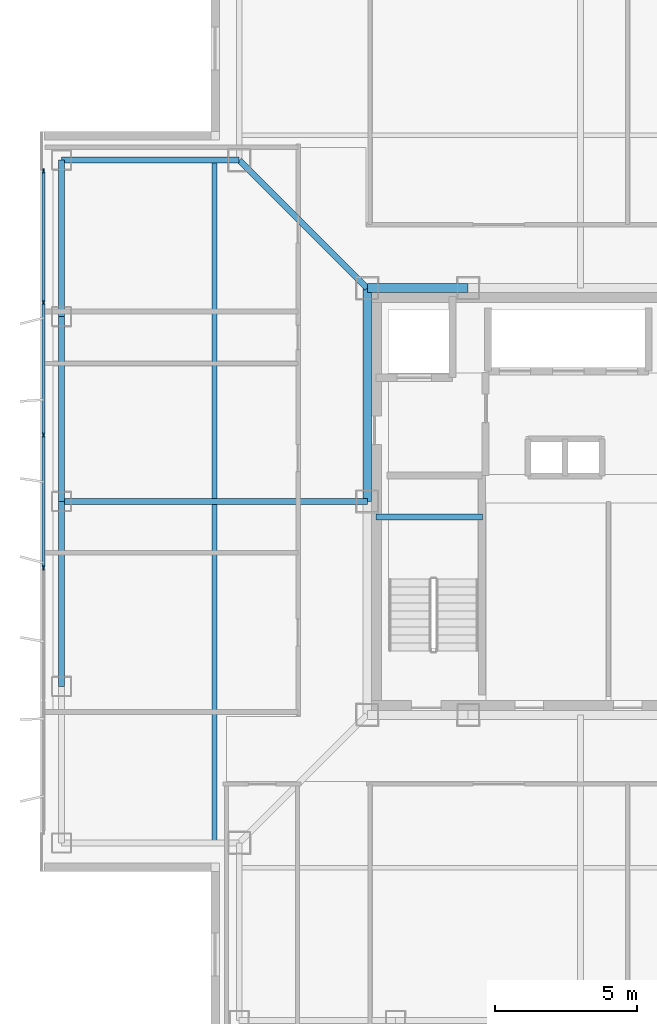
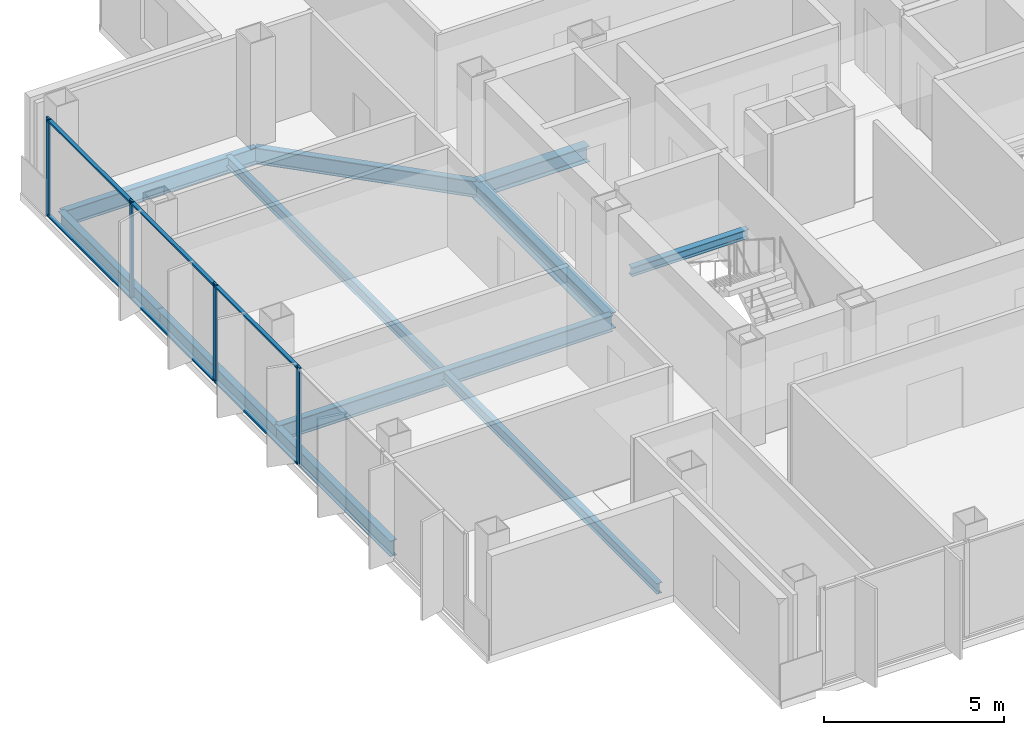
# One storey, part 4 of 15: 10 beams, 10 members, 1 element without a shape of its own.
"""IFC4 building model written with IfcOpenShell, lengths in metres."""

from ifc_helpers import new_model, si_unit, direction, frame, origin, origin_2d, place, context, subcontext, project, spatial, rectangle, i_section, extrude, material, layer, layer_set, material_profile, profile_set, type_object, element, aggregate, save


model = new_model("IFC4")

# Units and contexts
model_context = context("Model", 3, precision=1e-05, world=origin(), true_north=direction((0.0, 1.0)))
body_context = subcontext(model_context, "Body", "Model", "MODEL_VIEW")
ifc_project = project(units=[si_unit("LENGTHUNIT", "METRE"), si_unit("AREAUNIT", "SQUARE_METRE"), si_unit("VOLUMEUNIT", "CUBIC_METRE"), si_unit("PLANEANGLEUNIT", "RADIAN"), si_unit("MASSUNIT", "GRAM", prefix="KILO")], contexts=[model_context])

# Site, building, storey
site_placement = place(None, origin())
site = spatial("IfcSite", under=ifc_project, at=site_placement, CompositionType="ELEMENT")
building_placement = place(site_placement, origin())
building = spatial("IfcBuilding", under=site, at=building_placement, Name="Trevonay Congress Spire", CompositionType="ELEMENT")
storey_placement = place(building_placement, frame((0.0, 0.0, 282.800048828125)))
storey = spatial("IfcBuildingStorey", under=building, at=storey_placement, Name="L74", CompositionType="ELEMENT", Elevation=282.800048828125)

# Beams
ifc_material_1 = material(Name="Steel ASTM A572 Grade 50", Category="steel")
ifc_material_profile_1 = material_profile(ifc_material_1, i_section(OverallWidth=0.2119140625, OverallDepth=0.5439453125, WebThickness=0.01318359375, FlangeThickness=0.021240234375, FilletRadius=0.014892578125, at=origin_2d()), Name="W530x123")
ifc_profile_set_1 = profile_set([ifc_material_profile_1], Name="Steel ASTM A572 Grade 50")
beam_type_1 = type_object("IfcBeamType", Name="BM-GIRD-W530X123", PredefinedType="BEAM", material=ifc_profile_set_1)
beam_1_placement = place(storey_placement, frame((-7.5, 7.5, -0.511962890625), z_axis=(-0.707106781187, 0.707106781187, 0.0), x_axis=(-0.707106781187, -0.707106781187, 0.0)))
element("IfcBeam", 1, at=beam_1_placement, inside=storey, type_object=beam_type_1, Name="L74 structural beam BM-L74-CDNW", PredefinedType="BEAM", context=body_context, shape_type="SweptSolid", body=[
    extrude(i_section(OverallWidth=0.2119140625, OverallDepth=0.5439453125, WebThickness=0.01318359375, FlangeThickness=0.021240234375, FilletRadius=0.014892578125, at=origin_2d()), origin(), (0.0, 0.0, 1.0), 6.364013671875),
])
beam_2_placement = place(storey_placement, frame((-7.5, 0.0, -0.511962890625), z_axis=(-1.0, 0.0, 0.0), x_axis=(0.0, -1.0, 0.0)))
element("IfcBeam", 2, at=beam_2_placement, inside=storey, type_object=beam_type_1, Name="L74 structural beam BM-L74-GC-W", PredefinedType="BEAM", context=body_context, shape_type="SweptSolid", body=[
    extrude(i_section(OverallWidth=0.2119140625, OverallDepth=0.5439453125, WebThickness=0.01318359375, FlangeThickness=0.021240234375, FilletRadius=0.014892578125, at=origin_2d()), origin(), (0.0, 0.0, 1.0), 10.75),
])
ifc_material_profile_2 = material_profile(ifc_material_1, i_section(OverallWidth=0.31201171875, OverallDepth=0.54296875, WebThickness=0.0126953125, FlangeThickness=0.020263671875, FilletRadius=0.014892578125, at=origin_2d()), Name="W530x150")
ifc_profile_set_2 = profile_set([ifc_material_profile_2], Name="Steel ASTM A572 Grade 50")
beam_type_2 = type_object("IfcBeamType", Name="BM-GIRD-W530X150", PredefinedType="BEAM", material=ifc_profile_set_2)
beam_3_placement = place(storey_placement, frame((-7.5, 7.5, -0.511474609375), z_axis=(1.0, 0.0, 0.0), x_axis=(0.0, 1.0, 0.0)))
element("IfcBeam", 3, at=beam_3_placement, inside=storey, type_object=beam_type_2, Name="L74 structural beam BM-L74-CR-N1", PredefinedType="BEAM", context=body_context, shape_type="SweptSolid", body=[
    extrude(i_section(OverallWidth=0.31201171875, OverallDepth=0.54296875, WebThickness=0.0126953125, FlangeThickness=0.020263671875, FilletRadius=0.014892578125, at=origin_2d()), origin(), (0.0, 0.0, 1.0), 3.550048828125),
])
beam_4_placement = place(storey_placement, frame((-7.5, 0.0, -0.511474609375), z_axis=(0.0, 1.0, 0.0), x_axis=(-1.0, 0.0, 0.0)))
element("IfcBeam", 4, at=beam_4_placement, inside=storey, type_object=beam_type_2, Name="L74 structural beam BM-L74-CR-W2", PredefinedType="BEAM", context=body_context, shape_type="SweptSolid", body=[
    extrude(i_section(OverallWidth=0.31201171875, OverallDepth=0.54296875, WebThickness=0.0126953125, FlangeThickness=0.020263671875, FilletRadius=0.014892578125, at=origin_2d()), origin(), (0.0, 0.0, 1.0), 7.5),
])
ifc_material_profile_3 = material_profile(ifc_material_1, i_section(OverallWidth=0.208984375, OverallDepth=0.532958984375, WebThickness=0.01025390625, FlangeThickness=0.015625, FilletRadius=0.014892578125, at=origin_2d()), Name="W530x92")
ifc_profile_set_3 = profile_set([ifc_material_profile_3], Name="Steel ASTM A572 Grade 50")
beam_type_3 = type_object("IfcBeamType", Name="BM-RING-W530X92", PredefinedType="BEAM", material=ifc_profile_set_3)
for number, where, z_axis, x_axis, name in (
    (5, (-18.25, -6.5, -0.506591796875), (0.0, 1.0, 0.0), (-1.0, 0.0, 0.0), "L74 structural beam BM-L74-PW2"),
    (6, (-18.25, 0.0, -0.506591796875), (0.0, 1.0, 0.0), (-1.0, 0.0, 0.0), "L74 structural beam BM-L74-PW3"),
):
    element("IfcBeam", number, at=place(storey_placement, frame(where, z_axis=z_axis, x_axis=x_axis)), inside=storey, type_object=beam_type_3, Name=name, PredefinedType="BEAM", context=body_context, shape_type="SweptSolid", body=[
        extrude(i_section(OverallWidth=0.208984375, OverallDepth=0.532958984375, WebThickness=0.01025390625, FlangeThickness=0.015625, FilletRadius=0.014892578125, at=origin_2d()), origin(), (0.0, 0.0, 1.0), 6.5),
    ])
beam_5_placement = place(storey_placement, frame((-18.25, 6.5, -0.506591796875), z_axis=(0.0, 1.0, 0.0), x_axis=(-1.0, 0.0, 0.0)))
element("IfcBeam", 7, at=beam_5_placement, inside=storey, type_object=beam_type_3, Name="L74 structural beam BM-L74-PW4", PredefinedType="BEAM", context=body_context, shape_type="SweptSolid", body=[
    extrude(i_section(OverallWidth=0.208984375, OverallDepth=0.532958984375, WebThickness=0.01025390625, FlangeThickness=0.015625, FilletRadius=0.014892578125, at=origin_2d()), origin(), (0.0, 0.0, 1.0), 5.5),
])
beam_6_placement = place(storey_placement, frame((-18.25, 12.0, -0.506591796875), z_axis=(1.0, 0.0, 0.0), x_axis=(0.0, 1.0, 0.0)))
element("IfcBeam", 8, at=beam_6_placement, inside=storey, type_object=beam_type_3, Name="L74 structural beam BM-L74-N2NW", PredefinedType="BEAM", context=body_context, shape_type="SweptSolid", body=[
    extrude(i_section(OverallWidth=0.208984375, OverallDepth=0.532958984375, WebThickness=0.01025390625, FlangeThickness=0.015625, FilletRadius=0.014892578125, at=origin_2d()), origin(), (0.0, 0.0, 1.0), 6.25),
])

# Curtain wall, members
ifc_material_2 = material(Name="Pale Anodised Aluminium EN AW-6063-T6", Category="aluminium")
ifc_layer = layer(ifc_material_2, 0.1650390625, Name="Pale Anodised Aluminium EN AW-6063-T6")
ifc_layer_set = layer_set([ifc_layer], Name="Pale Anodised Aluminium EN AW-6063-T6")
curtain_wall_type = type_object("IfcCurtainWallType", Name="CW-SYS05-DIPLOM-PALE-METAL", PredefinedType="NOTDEFINED", material=ifc_layer_set)
curtain_wall_placement = place(storey_placement, origin())
curtain_wall = element("IfcCurtainWall", 9, at=curtain_wall_placement, inside=storey, type_object=curtain_wall_type, Name="L74 W unitised curtain wall", PredefinedType="NOTDEFINED")
ifc_material_profile_4 = material_profile(ifc_material_2, rectangle(XDim=0.06005859375, YDim=0.159912109375, at=origin_2d()), Name="CW-MULLION-160-ALUMINIUM")
ifc_profile_set_4 = profile_set([ifc_material_profile_4], Name="Pale Anodised Aluminium EN AW-6063-T6")
member_type_1 = type_object("IfcMemberType", Name="CW-MULLION-160-ALUMINIUM", PredefinedType="MULLION", material=ifc_profile_set_4)
member_1_placement = place(storey_placement, frame((-18.8798828125, -2.330078125, 0.0), z_axis=(0.0, 0.0, 1.0), x_axis=(-1.0, 0.0, 0.0)))
member_1 = element("IfcMember", 10, at=member_1_placement, type_object=member_type_1, Name="CW05 mullion 3", PredefinedType="MULLION", context=body_context, shape_type="SweptSolid", body=[
    extrude(rectangle(XDim=0.06005859375, YDim=0.159912109375, at=origin_2d()), origin(), (0.0, 0.0, 1.0), 3.35986328125),
])
member_2_placement = place(storey_placement, frame((-18.8798828125, 2.330078125, 0.0), z_axis=(0.0, 0.0, 1.0), x_axis=(-1.0, 0.0, 0.0)))
member_2 = element("IfcMember", 11, at=member_2_placement, type_object=member_type_1, Name="CW05 mullion 4", PredefinedType="MULLION", context=body_context, shape_type="SweptSolid", body=[
    extrude(rectangle(XDim=0.06005859375, YDim=0.159912109375, at=origin_2d()), origin(), (0.0, 0.0, 1.0), 3.35986328125),
])
member_3_placement = place(storey_placement, frame((-18.8798828125, 6.989990234375, 0.0), z_axis=(0.0, 0.0, 1.0), x_axis=(-1.0, 0.0, 0.0)))
member_3 = element("IfcMember", 12, at=member_3_placement, type_object=member_type_1, Name="CW05 mullion 5", PredefinedType="MULLION", context=body_context, shape_type="SweptSolid", body=[
    extrude(rectangle(XDim=0.06005859375, YDim=0.159912109375, at=origin_2d()), origin(), (0.0, 0.0, 1.0), 3.35986328125),
])
member_4_placement = place(storey_placement, frame((-18.8798828125, 11.6201171875, 0.0), z_axis=(0.0, 0.0, 1.0), x_axis=(-1.0, 0.0, 0.0)))
member_4 = element("IfcMember", 13, at=member_4_placement, type_object=member_type_1, Name="CW05 mullion 6", PredefinedType="MULLION", context=body_context, shape_type="SweptSolid", body=[
    extrude(rectangle(XDim=0.06005859375, YDim=0.159912109375, at=origin_2d()), origin(), (0.0, 0.0, 1.0), 3.35986328125),
])
ifc_material_profile_5 = material_profile(ifc_material_2, rectangle(XDim=0.1201171875, YDim=0.06005859375, at=origin_2d()), Name="CW-TRANSOM-120-ALUMINIUM")
ifc_profile_set_5 = profile_set([ifc_material_profile_5], Name="Pale Anodised Aluminium EN AW-6063-T6")
member_type_2 = type_object("IfcMemberType", Name="CW-TRANSOM-120-ALUMINIUM", PredefinedType="USERDEFINED", material=ifc_profile_set_5)
member_5_placement = place(storey_placement, frame((-18.8798828125, -2.300048828125, 0.06005859375), z_axis=(0.0, 1.0, 0.0), x_axis=(-1.0, 0.0, 0.0)))
member_5 = element("IfcMember", 14, at=member_5_placement, type_object=member_type_2, Name="CW05 transom 3.1", ObjectType="TRANSOM", PredefinedType="USERDEFINED", context=body_context, shape_type="SweptSolid", body=[
    extrude(rectangle(XDim=0.1201171875, YDim=0.06005859375, at=origin_2d()), origin(), (0.0, 0.0, 1.0), 4.60009765625),
])
member_6_placement = place(storey_placement, frame((-18.8798828125, -2.300048828125, 3.300048828125), z_axis=(0.0, 1.0, 0.0), x_axis=(-1.0, 0.0, 0.0)))
member_6 = element("IfcMember", 15, at=member_6_placement, type_object=member_type_2, Name="CW05 transom 3.2", ObjectType="TRANSOM", PredefinedType="USERDEFINED", context=body_context, shape_type="SweptSolid", body=[
    extrude(rectangle(XDim=0.1201171875, YDim=0.06005859375, at=origin_2d()), origin(), (0.0, 0.0, 1.0), 4.60009765625),
])
member_7_placement = place(storey_placement, frame((-18.8798828125, 2.360107421875, 0.06005859375), z_axis=(0.0, 1.0, 0.0), x_axis=(-1.0, 0.0, 0.0)))
member_7 = element("IfcMember", 16, at=member_7_placement, type_object=member_type_2, Name="CW05 transom 4.1", ObjectType="TRANSOM", PredefinedType="USERDEFINED", context=body_context, shape_type="SweptSolid", body=[
    extrude(rectangle(XDim=0.1201171875, YDim=0.06005859375, at=origin_2d()), origin(), (0.0, 0.0, 1.0), 4.599853515625),
])
member_8_placement = place(storey_placement, frame((-18.8798828125, 2.360107421875, 3.300048828125), z_axis=(0.0, 1.0, 0.0), x_axis=(-1.0, 0.0, 0.0)))
member_8 = element("IfcMember", 17, at=member_8_placement, type_object=member_type_2, Name="CW05 transom 4.2", ObjectType="TRANSOM", PredefinedType="USERDEFINED", context=body_context, shape_type="SweptSolid", body=[
    extrude(rectangle(XDim=0.1201171875, YDim=0.06005859375, at=origin_2d()), origin(), (0.0, 0.0, 1.0), 4.599853515625),
])
member_9_placement = place(storey_placement, frame((-18.8798828125, 7.02001953125, 0.06005859375), z_axis=(0.0, 1.0, 0.0), x_axis=(-1.0, 0.0, 0.0)))
member_9 = element("IfcMember", 18, at=member_9_placement, type_object=member_type_2, Name="CW05 transom 5.1", ObjectType="TRANSOM", PredefinedType="USERDEFINED", context=body_context, shape_type="SweptSolid", body=[
    extrude(rectangle(XDim=0.1201171875, YDim=0.06005859375, at=origin_2d()), origin(), (0.0, 0.0, 1.0), 4.570068359375),
])
member_10_placement = place(storey_placement, frame((-18.8798828125, 7.02001953125, 3.300048828125), z_axis=(0.0, 1.0, 0.0), x_axis=(-1.0, 0.0, 0.0)))
member_10 = element("IfcMember", 19, at=member_10_placement, type_object=member_type_2, Name="CW05 transom 5.2", ObjectType="TRANSOM", PredefinedType="USERDEFINED", context=body_context, shape_type="SweptSolid", body=[
    extrude(rectangle(XDim=0.1201171875, YDim=0.06005859375, at=origin_2d()), origin(), (0.0, 0.0, 1.0), 4.570068359375),
])
aggregate(curtain_wall, [member_1, member_2, member_3, member_4, member_5, member_6, member_7, member_8, member_9, member_10])

# Beams
ifc_material_profile_6 = material_profile(ifc_material_1, i_section(OverallWidth=0.172119140625, OverallDepth=0.35791015625, WebThickness=0.0078125, FlangeThickness=0.01318359375, FilletRadius=0.011962890625, at=origin_2d()), Name="W360x57.8")
ifc_profile_set_6 = profile_set([ifc_material_profile_6], Name="Steel ASTM A572 Grade 50")
beam_type_4 = type_object("IfcBeamType", Name="JS-COMP-W360X57", PredefinedType="JOIST", material=ifc_profile_set_6)
beam_7_placement = place(storey_placement, frame((-12.875, -12.0, -0.4189453125), z_axis=(0.0, 1.0, 0.0), x_axis=(-1.0, 0.0, 0.0)))
element("IfcBeam", 20, at=beam_7_placement, inside=storey, type_object=beam_type_4, Name="L74 structural beam JS-L74-RING-W", PredefinedType="JOIST", context=body_context, shape_type="SweptSolid", body=[
    extrude(i_section(OverallWidth=0.172119140625, OverallDepth=0.35791015625, WebThickness=0.0078125, FlangeThickness=0.01318359375, FilletRadius=0.011962890625, at=origin_2d()), origin(), (0.0, 0.0, 1.0), 24.0),
])
ifc_material_profile_7 = material_profile(ifc_material_1, i_section(OverallWidth=0.2041015625, OverallDepth=0.305908203125, WebThickness=0.008544921875, FlangeThickness=0.0146484375, FilletRadius=0.010986328125, at=origin_2d()), Name="W310x67")
ifc_profile_set_7 = profile_set([ifc_material_profile_7], Name="Steel ASTM A572 Grade 50")
beam_type_5 = type_object("IfcBeamType", Name="LN-CORE-W310X67", PredefinedType="LINTEL", material=ifc_profile_set_7)
beam_8_placement = place(storey_placement, frame((-7.199951171875, -0.550048828125, 1.447021484375), z_axis=(1.0, 0.0, 0.0), x_axis=(0.0, 1.0, 0.0)))
element("IfcBeam", 21, at=beam_8_placement, inside=storey, type_object=beam_type_5, Name="L74 structural beam BM-L74-HL-ST1", PredefinedType="LINTEL", context=body_context, shape_type="SweptSolid", body=[
    extrude(i_section(OverallWidth=0.2041015625, OverallDepth=0.305908203125, WebThickness=0.008544921875, FlangeThickness=0.0146484375, FilletRadius=0.010986328125, at=origin_2d()), origin(), (0.0, 0.0, 1.0), 3.75),
])

save(model, "model.ifc")
